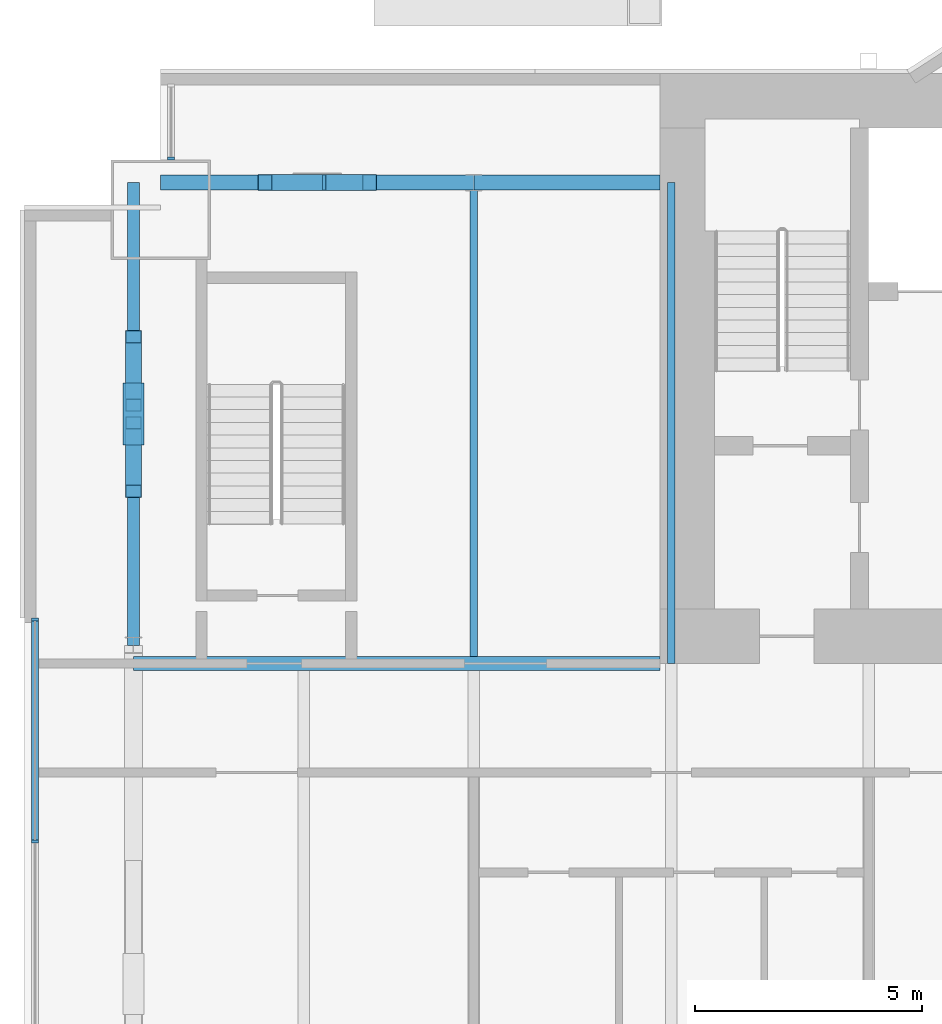
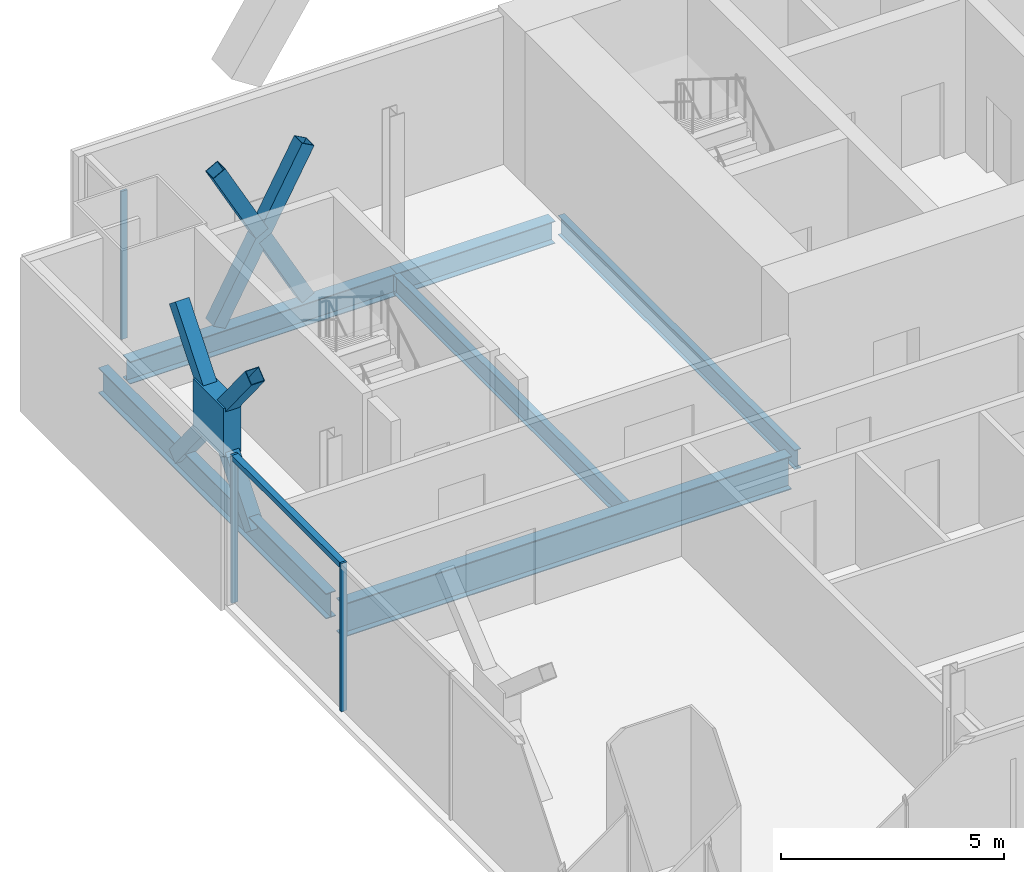
# One storey, part 7 of 20: 12 members, 6 beams, 2 elements without a shape of their own.
"""IFC4 building model written with IfcOpenShell, lengths in metres."""

from ifc_helpers import new_model, si_unit, direction, frame, origin, origin_2d, place, context, subcontext, project, spatial, rectangle, hollow_rectangle, i_section, extrude, material, material_profile, profile_set, type_object, element, aggregate, save


model = new_model("IFC4")

# Units and contexts
model_context = context("Model", 3, precision=1e-05, world=origin(), true_north=direction((0.0, 1.0)))
body_context = subcontext(model_context, "Body", "Model", "MODEL_VIEW")
ifc_project = project(units=[si_unit("LENGTHUNIT", "METRE"), si_unit("AREAUNIT", "SQUARE_METRE"), si_unit("VOLUMEUNIT", "CUBIC_METRE"), si_unit("PLANEANGLEUNIT", "RADIAN"), si_unit("MASSUNIT", "GRAM", prefix="KILO")], contexts=[model_context])

# Site, building, storey
site_placement = place(None, origin())
site = spatial("IfcSite", under=ifc_project, at=site_placement, CompositionType="ELEMENT")
building_placement = place(site_placement, origin())
building = spatial("IfcBuilding", under=site, at=building_placement, Name="Bicima Exchange Tower", CompositionType="ELEMENT")
storey_placement = place(building_placement, frame((0.0, 0.0, 245.60009765625)))
storey = spatial("IfcBuildingStorey", under=building, at=storey_placement, Name="L55", CompositionType="ELEMENT", Elevation=245.60009765625)

# Member
ifc_material_1 = material(Name="Steel ASTM A572 Gr 50", Category="steel")
ifc_material_profile_1 = material_profile(ifc_material_1, rectangle(XDim=0.45556640625, YDim=1.3564453125, at=origin_2d()))
ifc_profile_set_1 = profile_set([ifc_material_profile_1], Name="Steel ASTM A572 Gr 50")
member_type_1 = type_object("IfcMemberType", Name="Brace crossing node 456 x 1356", PredefinedType="POST", material=ifc_profile_set_1)
member_1_placement = place(storey_placement, frame((-33.60009765625, -7.5, 0.93505859375), z_axis=(0.0, 0.0, 1.0), x_axis=(1.0, 0.0, 0.0)))
element("IfcMember", 1, at=member_1_placement, inside=storey, type_object=member_type_1, Name="Brace crossing node block", PredefinedType="POST", context=body_context, shape_type="SweptSolid", body=[
    extrude(rectangle(XDim=0.45556640625, YDim=1.3564453125, at=origin_2d()), origin(), (0.0, 0.0, 1.0), 1.33642578125),
])

# Beam
ifc_material_2 = material(Name="Steel ASTM A992 Gr 50", Category="steel")
ifc_material_profile_2 = material_profile(ifc_material_2, i_section(OverallWidth=0.3046875, OverallDepth=0.911865234375, WebThickness=0.015869140625, FlangeThickness=0.02392578125, at=origin_2d()))
ifc_profile_set_2 = profile_set([ifc_material_profile_2], Name="Steel ASTM A992 Gr 50")
beam_type_1 = type_object("IfcBeamType", Name="Core-line girder W36x150", PredefinedType="BEAM", material=ifc_profile_set_2)
beam_1_placement = place(storey_placement, frame((-22.0, -13.0, -0.60595703125), z_axis=(-1.0, 0.0, 0.0), x_axis=(0.0, -1.0, 0.0)))
element("IfcBeam", 2, at=beam_1_placement, inside=storey, type_object=beam_type_1, Name="Core-line girder", PredefinedType="BEAM", context=body_context, shape_type="SweptSolid", body=[
    extrude(i_section(OverallWidth=0.3046875, OverallDepth=0.911865234375, WebThickness=0.015869140625, FlangeThickness=0.02392578125, at=origin_2d()), origin(), (0.0, 0.0, 1.0), 11.60009765625),
])

# Curtain wall, members
ifc_material_3 = material(Name="Anodised bronze aluminium", Category="aluminium")
curtain_wall_type_1 = type_object("IfcCurtainWallType", Name="End face glass wall", PredefinedType="NOTDEFINED", material=ifc_material_3)
curtain_wall_1_placement = place(storey_placement, origin())
curtain_wall_1 = element("IfcCurtainWall", 3, at=curtain_wall_1_placement, inside=storey, type_object=curtain_wall_type_1, Name="End face glass wall L55 run 2", PredefinedType="NOTDEFINED")
ifc_material_profile_3 = material_profile(ifc_material_3, rectangle(XDim=0.159912109375, YDim=0.06005859375, at=origin_2d()))
ifc_profile_set_3 = profile_set([ifc_material_profile_3], Name="Anodised bronze aluminium")
member_type_2 = type_object("IfcMemberType", Name="End face glass wall mullion 60 x 160", PredefinedType="MULLION", material=ifc_profile_set_3)
member_2_placement = place(storey_placement, frame((-35.77001953125, -12.030029296875, 0.0), z_axis=(0.0, 0.0, 1.0), x_axis=(1.0, 0.0, 0.0)))
member_2 = element("IfcMember", 4, at=member_2_placement, type_object=member_type_2, Name="End face glass wall mullion 1", PredefinedType="MULLION", context=body_context, shape_type="SweptSolid", body=[
    extrude(rectangle(XDim=0.159912109375, YDim=0.06005859375, at=origin_2d()), origin(), (0.0, 0.0, 1.0), 4.0498046875),
])
member_3_placement = place(storey_placement, frame((-35.77001953125, -16.92138671875, 0.0), z_axis=(0.0, 0.0, 1.0), x_axis=(1.0, 0.0, 0.0)))
member_3 = element("IfcMember", 5, at=member_3_placement, type_object=member_type_2, Name="End face glass wall mullion 2", PredefinedType="MULLION", context=body_context, shape_type="SweptSolid", body=[
    extrude(rectangle(XDim=0.159912109375, YDim=0.06005859375, at=origin_2d()), origin(), (0.0, 0.0, 1.0), 4.0498046875),
])
ifc_material_profile_4 = material_profile(ifc_material_3, rectangle(XDim=0.159912109375, YDim=0.139892578125, at=origin_2d()))
ifc_profile_set_4 = profile_set([ifc_material_profile_4], Name="Anodised bronze aluminium")
member_type_3 = type_object("IfcMemberType", Name="End face glass wall transom 140 x 160", PredefinedType="USERDEFINED", material=ifc_profile_set_4)
member_4_placement = place(storey_placement, frame((-35.77001953125, -12.06005859375, 3.97998046875), z_axis=(0.0, -1.0, 0.0), x_axis=(1.0, 0.0, 0.0)))
member_4 = element("IfcMember", 6, at=member_4_placement, type_object=member_type_3, Name="End face glass wall transom 1.1", ObjectType="TRANSOM", PredefinedType="USERDEFINED", context=body_context, shape_type="SweptSolid", body=[
    extrude(rectangle(XDim=0.159912109375, YDim=0.139892578125, at=origin_2d()), origin(), (0.0, 0.0, 1.0), 4.831298828125),
])
aggregate(curtain_wall_1, [member_2, member_3, member_4])

# Beams
ifc_material_profile_5 = material_profile(ifc_material_2, i_section(OverallWidth=0.256591796875, OverallDepth=0.693359375, WebThickness=0.014404296875, FlangeThickness=0.023681640625, at=origin_2d()))
ifc_profile_set_5 = profile_set([ifc_material_profile_5], Name="Steel ASTM A992 Gr 50")
beam_type_2 = type_object("IfcBeamType", Name="End girder W27x114", PredefinedType="BEAM", material=ifc_profile_set_5)
beam_2_placement = place(storey_placement, frame((-33.60009765625, -2.39990234375, -0.496826171875), z_axis=(0.0, -1.0, 0.0), x_axis=(1.0, 0.0, 0.0)))
element("IfcBeam", 7, at=beam_2_placement, inside=storey, type_object=beam_type_2, Name="End girder", PredefinedType="BEAM", context=body_context, shape_type="SweptSolid", body=[
    extrude(i_section(OverallWidth=0.256591796875, OverallDepth=0.693359375, WebThickness=0.014404296875, FlangeThickness=0.023681640625, at=origin_2d()), origin(), (0.0, 0.0, 1.0), 10.2001953125),
])
ifc_material_profile_6 = material_profile(ifc_material_2, i_section(OverallWidth=0.165771484375, OverallDepth=0.5283203125, WebThickness=0.009765625, FlangeThickness=0.013671875, at=origin_2d()))
ifc_profile_set_6 = profile_set([ifc_material_profile_6], Name="Steel ASTM A992 Gr 50")
beam_type_3 = type_object("IfcBeamType", Name="Floor beam W21x50", PredefinedType="JOIST", material=ifc_profile_set_6)
beam_3_placement = place(storey_placement, frame((-26.10009765625, -2.5625, -0.414306640625), z_axis=(0.0, -1.0, 0.0), x_axis=(1.0, 0.0, 0.0)))
element("IfcBeam", 8, at=beam_3_placement, inside=storey, type_object=beam_type_3, Name="Floor beam", PredefinedType="JOIST", context=body_context, shape_type="SweptSolid", body=[
    extrude(i_section(OverallWidth=0.165771484375, OverallDepth=0.5283203125, WebThickness=0.009765625, FlangeThickness=0.013671875, at=origin_2d()), origin(), (0.0, 0.0, 1.0), 10.28515625),
])
beam_4_placement = place(storey_placement, frame((-21.75, -2.39990234375, -0.414306640625), z_axis=(0.0, -1.0, 0.0), x_axis=(1.0, 0.0, 0.0)))
element("IfcBeam", 9, at=beam_4_placement, inside=storey, type_object=beam_type_3, Name="Floor beam", PredefinedType="JOIST", context=body_context, shape_type="SweptSolid", body=[
    extrude(i_section(OverallWidth=0.165771484375, OverallDepth=0.5283203125, WebThickness=0.009765625, FlangeThickness=0.013671875, at=origin_2d()), origin(), (0.0, 0.0, 1.0), 10.60009765625),
])

# Curtain wall, member
curtain_wall_type_2 = type_object("IfcCurtainWallType", Name="Front glass wall", PredefinedType="NOTDEFINED", material=ifc_material_3)
curtain_wall_2_placement = place(storey_placement, origin())
curtain_wall_2 = element("IfcCurtainWall", 10, at=curtain_wall_2_placement, inside=storey, type_object=curtain_wall_type_2, Name="Front glass wall L55 run 1", PredefinedType="NOTDEFINED")
member_type_4 = type_object("IfcMemberType", Name="Front glass wall mullion 60 x 160", PredefinedType="MULLION", material=ifc_profile_set_3)
member_5_placement = place(storey_placement, frame((-32.77001953125, -1.8701171875, 0.0), z_axis=(0.0, 0.0, 1.0), x_axis=(1.0, 0.0, 0.0)))
member_5 = element("IfcMember", 11, at=member_5_placement, type_object=member_type_4, Name="Front glass wall mullion 2", PredefinedType="MULLION", context=body_context, shape_type="SweptSolid", body=[
    extrude(rectangle(XDim=0.159912109375, YDim=0.06005859375, at=origin_2d()), origin(), (0.0, 0.0, 1.0), 4.0498046875),
])
aggregate(curtain_wall_2, [member_5])

# Members
ifc_material_profile_7 = material_profile(ifc_material_1, hollow_rectangle(XDim=0.355712890625, YDim=0.355712890625, WallThickness=0.0146484375, at=origin_2d()))
ifc_profile_set_7 = profile_set([ifc_material_profile_7], Name="Steel ASTM A572 Gr 50")
member_type_5 = type_object("IfcMemberType", Name="Mega brace HSS14x14x5/8", PredefinedType="BRACE", material=ifc_profile_set_7)
member_6_placement = place(storey_placement, frame((-30.699951171875, -2.39990234375, 0.0), z_axis=(0.48032676309, 0.0, 0.877089619514), x_axis=(0.0, 1.0, 0.0)))
element("IfcMember", 12, at=member_6_placement, inside=storey, type_object=member_type_5, Name="Mega brace rear", PredefinedType="BRACE", context=body_context, shape_type="SweptSolid", body=[
    extrude(hollow_rectangle(XDim=0.355712890625, YDim=0.355712890625, WallThickness=0.0146484375, at=origin_2d()), origin(), (0.0, 0.0, 1.0), 4.78857421875),
])
member_7_placement = place(storey_placement, frame((-28.39990234375, -2.39990234375, 0.0), z_axis=(-0.480349521295, 0.0, 0.877077155894), x_axis=(0.0, -1.0, 0.0)))
element("IfcMember", 13, at=member_7_placement, inside=storey, type_object=member_type_5, Name="Mega brace rear", PredefinedType="BRACE", context=body_context, shape_type="SweptSolid", body=[
    extrude(hollow_rectangle(XDim=0.355712890625, YDim=0.355712890625, WallThickness=0.0146484375, at=origin_2d()), origin(), (0.0, 0.0, 1.0), 2.306396484375),
])
member_8_placement = place(storey_placement, frame((-29.592041015625, -2.39990234375, 2.1767578125), z_axis=(-0.480304929622, 0.0, 0.877101575976), x_axis=(0.0, -1.0, 0.0)))
element("IfcMember", 14, at=member_8_placement, inside=storey, type_object=member_type_5, Name="Mega brace rear", PredefinedType="BRACE", context=body_context, shape_type="SweptSolid", body=[
    extrude(hollow_rectangle(XDim=0.355712890625, YDim=0.355712890625, WallThickness=0.0146484375, at=origin_2d()), origin(), (0.0, 0.0, 1.0), 2.306640625),
])
for number, where, z_axis, x_axis, name in (
    (15, (-33.60009765625, -5.800048828125, -0.496826171875), (0.0, -0.629183530001, 0.777256769398), (1.0, 0.0, 0.0), "Mega brace west end"),
    (16, (-33.60009765625, -7.69677734375, 1.84619140625), (0.0, -0.629183530001, 0.777256769398), (1.0, 0.0, 0.0), "Mega brace west end"),
    (17, (-33.60009765625, -9.199951171875, -0.496826171875), (0.0, 0.629183530001, 0.777256769398), (-1.0, 0.0, 0.0), "Mega brace west end"),
    (18, (-33.60009765625, -7.30322265625, 1.84619140625), (0.0, 0.629183530001, 0.777256769398), (-1.0, 0.0, 0.0), "Mega brace west end"),
):
    element("IfcMember", number, at=place(storey_placement, frame(where, z_axis=z_axis, x_axis=x_axis)), inside=storey, type_object=member_type_5, Name=name, PredefinedType="BRACE", context=body_context, shape_type="SweptSolid", body=[
        extrude(hollow_rectangle(XDim=0.355712890625, YDim=0.355712890625, WallThickness=0.0146484375, at=origin_2d()), origin(), (0.0, 0.0, 1.0), 2.38916015625),
    ])

# Beams
ifc_material_profile_8 = material_profile(ifc_material_2, i_section(OverallWidth=0.3251953125, OverallDepth=0.612060546875, WebThickness=0.0126953125, FlangeThickness=0.01904296875, at=origin_2d()))
ifc_profile_set_8 = profile_set([ifc_material_profile_8], Name="Steel ASTM A992 Gr 50")
beam_type_4 = type_object("IfcBeamType", Name="Rear girder W24x104", PredefinedType="BEAM", material=ifc_profile_set_8)
beam_5_placement = place(storey_placement, frame((-22.0, -2.39990234375, -0.456298828125), z_axis=(-1.0, 0.0, 0.0), x_axis=(0.0, -1.0, 0.0)))
element("IfcBeam", 19, at=beam_5_placement, inside=storey, type_object=beam_type_4, Name="Rear girder", PredefinedType="BEAM", context=body_context, shape_type="SweptSolid", body=[
    extrude(i_section(OverallWidth=0.3251953125, OverallDepth=0.612060546875, WebThickness=0.0126953125, FlangeThickness=0.01904296875, at=origin_2d()), origin(), (0.0, 0.0, 1.0), 4.10009765625),
])
beam_6_placement = place(storey_placement, frame((-26.10009765625, -2.39990234375, -0.456298828125), z_axis=(-1.0, 0.0, 0.0), x_axis=(0.0, -1.0, 0.0)))
element("IfcBeam", 20, at=beam_6_placement, inside=storey, type_object=beam_type_4, Name="Rear girder", PredefinedType="BEAM", context=body_context, shape_type="SweptSolid", body=[
    extrude(i_section(OverallWidth=0.3251953125, OverallDepth=0.612060546875, WebThickness=0.0126953125, FlangeThickness=0.01904296875, at=origin_2d()), origin(), (0.0, 0.0, 1.0), 6.89990234375),
])

save(model, "model.ifc")
